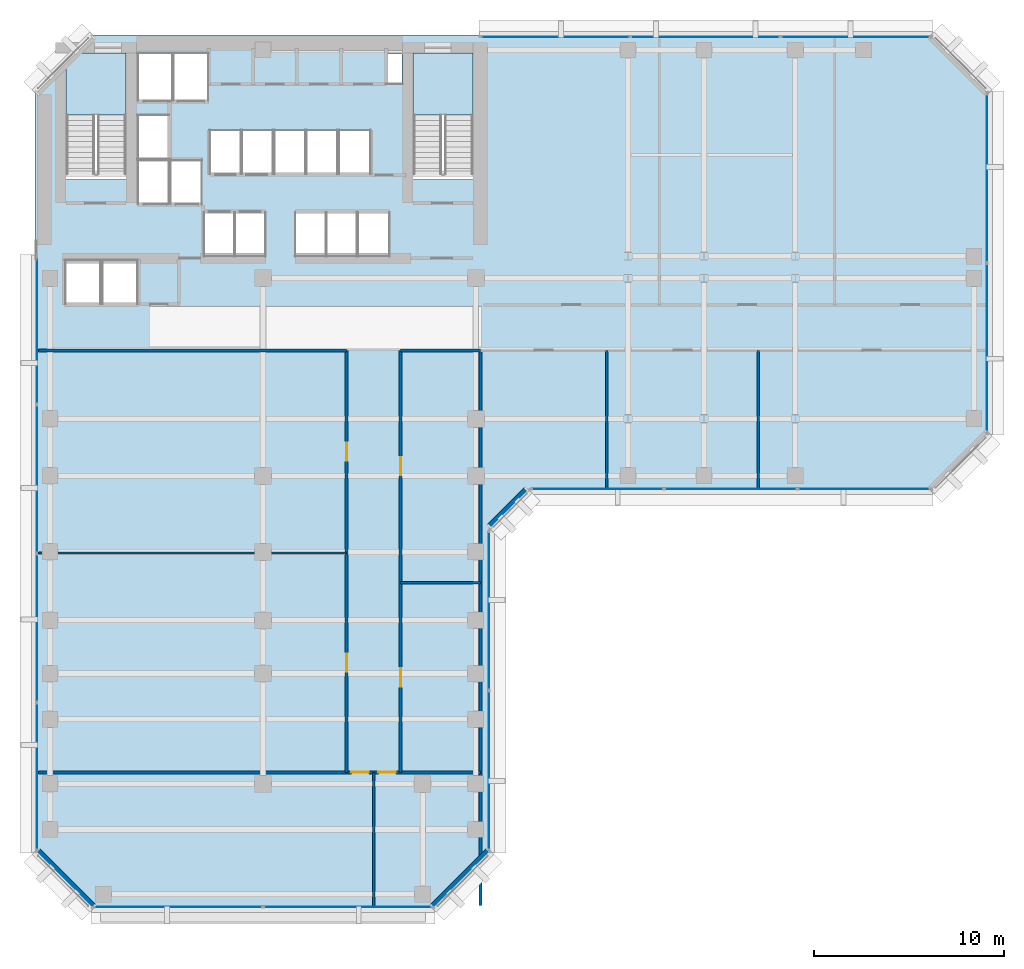
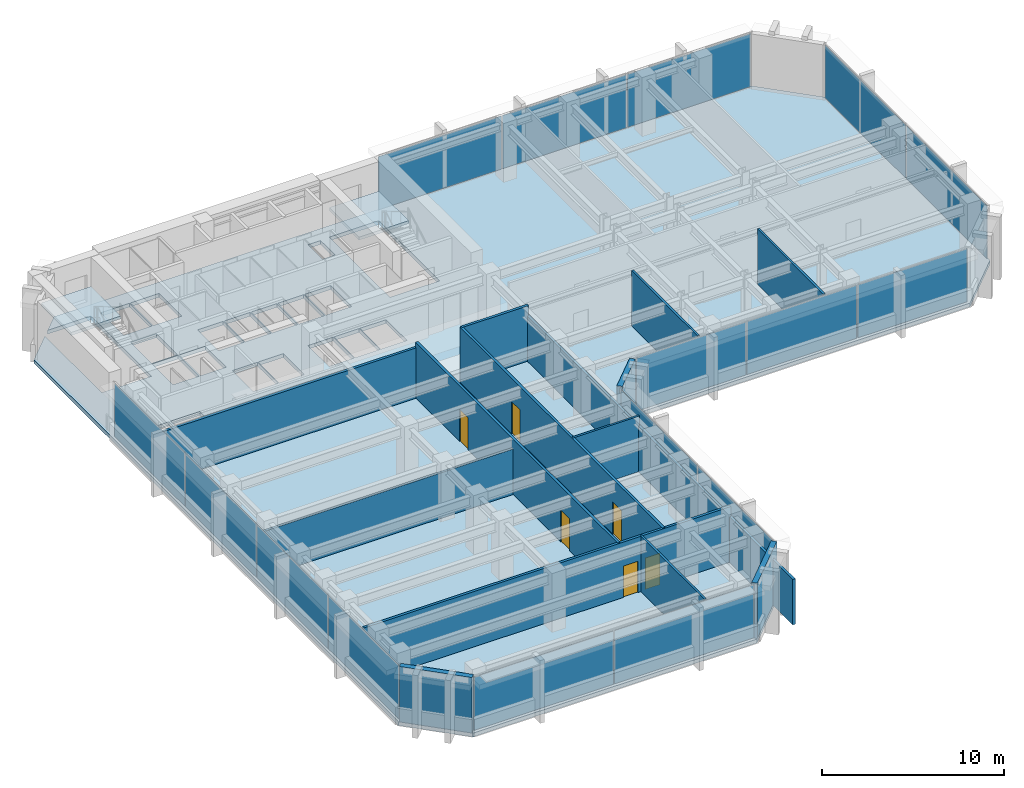
# One storey, part 6 of 12: 16 plates, 14 walls, 6 doors, 3 slabs, 6 openings, 8 elements without a shape of their own.
"""IFC4 building model written with IfcOpenShell, lengths in metres."""

from ifc_helpers import new_model, si_unit, direction, frame, frame_2d, origin, origin_2d, place, context, subcontext, project, spatial, polyline, rectangle, outline, extrude, material, layer, layer_set, type_object, element, fill, aggregate, save


model = new_model("IFC4")

# Units and contexts
model_context = context("Model", 3, precision=1e-05, world=origin(), true_north=direction((0.0, 1.0)))
body_context = subcontext(model_context, "Body", "Model", "MODEL_VIEW")
ifc_project = project(units=[si_unit("LENGTHUNIT", "METRE"), si_unit("AREAUNIT", "SQUARE_METRE"), si_unit("VOLUMEUNIT", "CUBIC_METRE"), si_unit("PLANEANGLEUNIT", "RADIAN"), si_unit("MASSUNIT", "GRAM", prefix="KILO")], contexts=[model_context])

# Site, building, storey
site_placement = place(None, origin())
site = spatial("IfcSite", under=ifc_project, at=site_placement, CompositionType="ELEMENT")
building_placement = place(site_placement, origin())
building = spatial("IfcBuilding", under=site, at=building_placement, Name="Kefirva Bronze Tower", CompositionType="ELEMENT")
storey_placement = place(building_placement, frame((0.0, 0.0, 126.389892578125)))
storey = spatial("IfcBuildingStorey", under=building, at=storey_placement, Name="L30", CompositionType="ELEMENT", Elevation=126.389892578125)

# Stair, slab
ifc_material_1 = material(Name="Concrete C40/50", Category="concrete")
stair_type = type_object("IfcStairType", Name="RC Dogleg Protected Stair 24R", PredefinedType="HALF_TURN_STAIR", material=ifc_material_1)
stair_1_placement = place(storey_placement, origin())
stair_1 = element("IfcStair", 1, at=stair_1_placement, inside=storey, type_object=stair_type, Name="L30 Protected Exit Stair 1", PredefinedType="HALF_TURN_STAIR")
ifc_layer_1 = layer(ifc_material_1, 0.199951171875, Name="Concrete C40/50")
ifc_layer_set_1 = layer_set([ifc_layer_1], Name="Concrete C40/50")
slab_type_1 = type_object("IfcSlabType", Name="RC Stair Landing Slab 200mm", PredefinedType="LANDING", material=ifc_layer_set_1)
slab_1_placement = place(storey_placement, frame((0.0, 0.0, 1.780029296875)))
slab_1 = element("IfcSlab", 2, at=slab_1_placement, type_object=slab_type_1, Name="ST-1 landing 1", PredefinedType="LANDING", context=body_context, shape_type="SweptSolid", body=[
    extrude(outline(polyline([(4.800048828125, 41.780029296875), (4.800048828125, 45.050048828125), (1.64990234375, 45.050048828125), (1.64990234375, 41.780029296875), (4.800048828125, 41.780029296875)])), origin(), (0.0, 0.0, 1.0), 0.2001953125),
])
aggregate(stair_1, [slab_1])

stair_2_placement = place(storey_placement, origin())
stair_2 = element("IfcStair", 3, at=stair_2_placement, inside=storey, type_object=stair_type, Name="L30 Protected Exit Stair 2", PredefinedType="HALF_TURN_STAIR")
slab_2_placement = place(storey_placement, frame((0.0, 0.0, 1.780029296875)))
slab_2 = element("IfcSlab", 4, at=slab_2_placement, type_object=slab_type_1, Name="ST-2 landing 1", PredefinedType="LANDING", context=body_context, shape_type="SweptSolid", body=[
    extrude(outline(polyline([(23.050048828125, 41.780029296875), (23.050048828125, 45.050048828125), (19.89990234375, 45.050048828125), (19.89990234375, 41.780029296875), (23.050048828125, 41.780029296875)])), origin(), (0.0, 0.0, 1.0), 0.2001953125),
])
aggregate(stair_2, [slab_2])

# Slab
ifc_layer_2 = layer(ifc_material_1, 0.25, Name="Concrete C40/50")
ifc_layer_set_2 = layer_set([ifc_layer_2], Name="Concrete C40/50")
slab_type_2 = type_object("IfcSlabType", Name="RC Tower Floor Slab 250mm", PredefinedType="FLOOR", material=ifc_layer_set_2)
slab_3_placement = place(storey_placement, frame((0.0, 0.0, -0.25)))
element("IfcSlab", 5, at=slab_3_placement, inside=storey, type_object=slab_type_2, Name="L30 Structural Floor Slab", PredefinedType="FLOOR", context=body_context, shape_type="SweptSolid", body=[
    extrude(outline(polyline([(0.0, 3.0), (0.0, 43.0), (1.64990234375, 44.64990234375), (1.64990234375, 38.39990234375), (4.800048828125, 38.39990234375), (4.800048828125, 45.050048828125), (2.050048828125, 45.050048828125), (3.0, 46.0), (47.199951171875, 46.0), (50.199951171875, 43.0), (50.199951171875, 25.0), (47.199951171875, 22.0), (26.0, 22.0), (24.0, 20.0), (24.0, 3.0), (21.0, 0.0), (3.0, 0.0), (0.0, 3.0)]), holes=[polyline([(19.89990234375, 38.39990234375), (23.050048828125, 38.39990234375), (23.050048828125, 45.050048828125), (19.89990234375, 45.050048828125), (19.89990234375, 38.39990234375)]), polyline([(18.52001953125, 43.419921875), (19.320068359375, 43.419921875), (19.320068359375, 45.0), (18.52001953125, 45.0), (18.52001953125, 43.419921875)]), polyline([(17.0, 34.35009765625), (18.64990234375, 34.35009765625), (18.64990234375, 36.64990234375), (17.0, 36.64990234375), (17.0, 34.35009765625)]), polyline([(17.64990234375, 38.679931640625), (17.64990234375, 40.97998046875), (16.0, 40.97998046875), (16.0, 38.679931640625), (17.64990234375, 38.679931640625)]), polyline([(16.949951171875, 34.35009765625), (16.949951171875, 36.64990234375), (15.35009765625, 36.64990234375), (15.35009765625, 34.35009765625), (16.949951171875, 34.35009765625)]), polyline([(15.929931640625, 38.679931640625), (15.929931640625, 40.97998046875), (14.300048828125, 40.97998046875), (14.300048828125, 38.679931640625), (15.929931640625, 38.679931640625)]), polyline([(15.300048828125, 34.35009765625), (15.300048828125, 36.64990234375), (13.699951171875, 36.64990234375), (13.699951171875, 34.35009765625), (15.300048828125, 34.35009765625)]), polyline([(14.22998046875, 38.679931640625), (14.22998046875, 40.97998046875), (12.60009765625, 40.97998046875), (12.60009765625, 38.679931640625), (14.22998046875, 38.679931640625)]), polyline([(10.89990234375, 38.679931640625), (12.530029296875, 38.679931640625), (12.530029296875, 40.97998046875), (10.89990234375, 40.97998046875), (10.89990234375, 38.679931640625)]), polyline([(12.139892578125, 34.35009765625), (12.139892578125, 36.64990234375), (10.5400390625, 36.64990234375), (10.5400390625, 34.35009765625), (12.139892578125, 34.35009765625)]), polyline([(10.830078125, 38.679931640625), (10.830078125, 40.97998046875), (9.199951171875, 40.97998046875), (9.199951171875, 38.679931640625), (10.830078125, 38.679931640625)]), polyline([(10.5, 34.35009765625), (10.5, 36.64990234375), (8.89990234375, 36.64990234375), (8.89990234375, 34.35009765625), (10.5, 34.35009765625)]), polyline([(7.300048828125, 42.550048828125), (9.1201171875, 42.550048828125), (9.1201171875, 45.050048828125), (7.300048828125, 45.050048828125), (7.300048828125, 42.550048828125)]), polyline([(7.139892578125, 37.10009765625), (8.780029296875, 37.10009765625), (8.780029296875, 39.39990234375), (7.139892578125, 39.39990234375), (7.139892578125, 37.10009765625)]), polyline([(5.419921875, 42.550048828125), (7.239990234375, 42.550048828125), (7.239990234375, 45.050048828125), (5.419921875, 45.050048828125), (5.419921875, 42.550048828125)]), polyline([(7.06005859375, 39.47998046875), (7.06005859375, 41.780029296875), (5.419921875, 41.780029296875), (5.419921875, 39.47998046875), (7.06005859375, 39.47998046875)]), polyline([(5.419921875, 37.10009765625), (7.06005859375, 37.10009765625), (7.06005859375, 39.39990234375), (5.419921875, 39.39990234375), (5.419921875, 37.10009765625)]), polyline([(5.39990234375, 31.85009765625), (5.39990234375, 34.14990234375), (3.550048828125, 34.14990234375), (3.550048828125, 31.85009765625), (5.39990234375, 31.85009765625)]), polyline([(3.449951171875, 31.85009765625), (3.449951171875, 34.14990234375), (1.60009765625, 34.14990234375), (1.60009765625, 31.85009765625), (3.449951171875, 31.85009765625)])]), origin(), (0.0, 0.0, 1.0), 0.25),
])

# Curtain wall, plates
ifc_material_2 = material(Name="Bronze anodised aluminium", Category="aluminium")
ifc_layer_3 = layer(ifc_material_2, 0.199951171875, Name="Bronze anodised aluminium")
ifc_layer_set_3 = layer_set([ifc_layer_3], Name="Bronze anodised aluminium")
curtain_wall_type = type_object("IfcCurtainWallType", Name="Unitised Bronze Ribbon Curtain Wall Zone 2", PredefinedType="USERDEFINED", material=ifc_layer_set_3)
curtain_wall_1_placement = place(storey_placement, origin())
curtain_wall_1 = element("IfcCurtainWall", 6, at=curtain_wall_1_placement, inside=storey, type_object=curtain_wall_type, Name="L30 Curtain Wall 1", ObjectType="UNITISED CURTAIN WALL", PredefinedType="USERDEFINED")
ifc_material_3 = material(Name="Laminated low-E double glazing", Category="glass")
ifc_layer_4 = layer(ifc_material_3, 0.031982421875, Name="Laminated low-E double glazing")
ifc_layer_set_4 = layer_set([ifc_layer_4], Name="Laminated low-E double glazing")
plate_type = type_object("IfcPlateType", Name="Solar-Control Low-E Vision Panel 32mm", PredefinedType="CURTAIN_PANEL", material=ifc_layer_set_4)
plate_1_placement = place(storey_placement, frame((7.546142578125, 0.1201171875, 0.0751953125), z_axis=(0.0, 0.0, 1.0), x_axis=(1.0, 0.0, 0.0)))
plate_1 = element("IfcPlate", 7, at=plate_1_placement, type_object=plate_type, Name="CW-02 panel 1.1", PredefinedType="CURTAIN_PANEL", context=body_context, shape_type="SweptSolid", body=[
    extrude(rectangle(XDim=8.83251953125, YDim=0.031982421875, at=origin_2d()), origin(), (0.0, 0.0, 1.0), 3.56005859375),
])
plate_2_placement = place(storey_placement, frame((16.453857421875, 0.1201171875, 0.0751953125), z_axis=(0.0, 0.0, 1.0), x_axis=(1.0, 0.0, 0.0)))
plate_2 = element("IfcPlate", 8, at=plate_2_placement, type_object=plate_type, Name="CW-02 panel 2.1", PredefinedType="CURTAIN_PANEL", context=body_context, shape_type="SweptSolid", body=[
    extrude(rectangle(XDim=8.83251953125, YDim=0.031982421875, at=origin_2d()), origin(), (0.0, 0.0, 1.0), 3.56005859375),
])
aggregate(curtain_wall_1, [plate_1, plate_2])

curtain_wall_2_placement = place(storey_placement, origin())
curtain_wall_2 = element("IfcCurtainWall", 9, at=curtain_wall_2_placement, inside=storey, type_object=curtain_wall_type, Name="L30 Curtain Wall 2", ObjectType="UNITISED CURTAIN WALL", PredefinedType="USERDEFINED")
plate_3_placement = place(storey_placement, frame((23.8798828125, 7.296142578125, 0.0751953125), z_axis=(0.0, 0.0, 1.0), x_axis=(0.0, 1.0, 0.0)))
plate_3 = element("IfcPlate", 10, at=plate_3_placement, type_object=plate_type, Name="CW-02 panel 1.1", PredefinedType="CURTAIN_PANEL", context=body_context, shape_type="SweptSolid", body=[
    extrude(rectangle(XDim=8.33251953125, YDim=0.031982421875, at=origin_2d()), origin(), (0.0, 0.0, 1.0), 3.56005859375),
])
plate_4_placement = place(storey_placement, frame((23.8798828125, 15.703857421875, 0.0751953125), z_axis=(0.0, 0.0, 1.0), x_axis=(0.0, 1.0, 0.0)))
plate_4 = element("IfcPlate", 11, at=plate_4_placement, type_object=plate_type, Name="CW-02 panel 2.1", PredefinedType="CURTAIN_PANEL", context=body_context, shape_type="SweptSolid", body=[
    extrude(rectangle(XDim=8.33251953125, YDim=0.031982421875, at=origin_2d()), origin(), (0.0, 0.0, 1.0), 3.56005859375),
])
aggregate(curtain_wall_2, [plate_3, plate_4])

curtain_wall_3_placement = place(storey_placement, origin())
curtain_wall_3 = element("IfcCurtainWall", 12, at=curtain_wall_3_placement, inside=storey, type_object=curtain_wall_type, Name="L30 Curtain Wall 3", ObjectType="UNITISED CURTAIN WALL", PredefinedType="USERDEFINED")
plate_5_placement = place(storey_placement, frame((29.5888671875, 22.1201171875, 0.0751953125), z_axis=(0.0, 0.0, 1.0), x_axis=(1.0, 0.0, 0.0)))
plate_5 = element("IfcPlate", 13, at=plate_5_placement, type_object=plate_type, Name="CW-02 panel 1.1", PredefinedType="CURTAIN_PANEL", context=body_context, shape_type="SweptSolid", body=[
    extrude(rectangle(XDim=6.91748046875, YDim=0.031982421875, at=origin_2d()), origin(), (0.0, 0.0, 1.0), 3.56005859375),
])
plate_6_placement = place(storey_placement, frame((36.60009765625, 22.1201171875, 0.0751953125), z_axis=(0.0, 0.0, 1.0), x_axis=(1.0, 0.0, 0.0)))
plate_6 = element("IfcPlate", 14, at=plate_6_placement, type_object=plate_type, Name="CW-02 panel 2.1", PredefinedType="CURTAIN_PANEL", context=body_context, shape_type="SweptSolid", body=[
    extrude(rectangle(XDim=6.955078125, YDim=0.031982421875, at=origin_2d()), origin(), (0.0, 0.0, 1.0), 3.56005859375),
])
plate_7_placement = place(storey_placement, frame((43.611328125, 22.1201171875, 0.0751953125), z_axis=(0.0, 0.0, 1.0), x_axis=(1.0, 0.0, 0.0)))
plate_7 = element("IfcPlate", 15, at=plate_7_placement, type_object=plate_type, Name="CW-02 panel 3.1", PredefinedType="CURTAIN_PANEL", context=body_context, shape_type="SweptSolid", body=[
    extrude(rectangle(XDim=6.91748046875, YDim=0.031982421875, at=origin_2d()), origin(), (0.0, 0.0, 1.0), 3.56005859375),
])
aggregate(curtain_wall_3, [plate_5, plate_6, plate_7])

curtain_wall_4_placement = place(storey_placement, origin())
curtain_wall_4 = element("IfcCurtainWall", 16, at=curtain_wall_4_placement, inside=storey, type_object=curtain_wall_type, Name="L30 Curtain Wall 4", ObjectType="UNITISED CURTAIN WALL", PredefinedType="USERDEFINED")
plate_8_placement = place(storey_placement, frame((50.080078125, 29.546142578125, 0.0751953125), z_axis=(0.0, 0.0, 1.0), x_axis=(0.0, 1.0, 0.0)))
plate_8 = element("IfcPlate", 17, at=plate_8_placement, type_object=plate_type, Name="CW-02 panel 1.1", PredefinedType="CURTAIN_PANEL", context=body_context, shape_type="SweptSolid", body=[
    extrude(rectangle(XDim=8.83251953125, YDim=0.031982421875, at=origin_2d()), origin(), (0.0, 0.0, 1.0), 3.56005859375),
])
plate_9_placement = place(storey_placement, frame((50.080078125, 38.453857421875, 0.0751953125), z_axis=(0.0, 0.0, 1.0), x_axis=(0.0, 1.0, 0.0)))
plate_9 = element("IfcPlate", 18, at=plate_9_placement, type_object=plate_type, Name="CW-02 panel 2.1", PredefinedType="CURTAIN_PANEL", context=body_context, shape_type="SweptSolid", body=[
    extrude(rectangle(XDim=8.83251953125, YDim=0.031982421875, at=origin_2d()), origin(), (0.0, 0.0, 1.0), 3.56005859375),
])
aggregate(curtain_wall_4, [plate_8, plate_9])

curtain_wall_5_placement = place(storey_placement, origin())
curtain_wall_5 = element("IfcCurtainWall", 19, at=curtain_wall_5_placement, inside=storey, type_object=curtain_wall_type, Name="L30 Curtain Wall 5", ObjectType="UNITISED CURTAIN WALL", PredefinedType="USERDEFINED")
plate_10_placement = place(storey_placement, frame((43.169677734375, 45.8798828125, 0.0751953125), z_axis=(0.0, 0.0, 1.0), x_axis=(-1.0, 0.0, 0.0)))
plate_10 = element("IfcPlate", 20, at=plate_10_placement, type_object=plate_type, Name="CW-02 panel 1.1", PredefinedType="CURTAIN_PANEL", context=body_context, shape_type="SweptSolid", body=[
    extrude(rectangle(XDim=7.80078125, YDim=0.031982421875, at=origin_2d()), origin(), (0.0, 0.0, 1.0), 3.56005859375),
])
plate_11_placement = place(storey_placement, frame((35.27490234375, 45.8798828125, 0.0751953125), z_axis=(0.0, 0.0, 1.0), x_axis=(-1.0, 0.0, 0.0)))
plate_11 = element("IfcPlate", 21, at=plate_11_placement, type_object=plate_type, Name="CW-02 panel 2.1", PredefinedType="CURTAIN_PANEL", context=body_context, shape_type="SweptSolid", body=[
    extrude(rectangle(XDim=7.83837890625, YDim=0.031982421875, at=origin_2d()), origin(), (0.0, 0.0, 1.0), 3.56005859375),
])
plate_12_placement = place(storey_placement, frame((27.38037109375, 45.8798828125, 0.0751953125), z_axis=(0.0, 0.0, 1.0), x_axis=(-1.0, 0.0, 0.0)))
plate_12 = element("IfcPlate", 22, at=plate_12_placement, type_object=plate_type, Name="CW-02 panel 3.1", PredefinedType="CURTAIN_PANEL", context=body_context, shape_type="SweptSolid", body=[
    extrude(rectangle(XDim=7.80078125, YDim=0.031982421875, at=origin_2d()), origin(), (0.0, 0.0, 1.0), 3.56005859375),
])
aggregate(curtain_wall_5, [plate_10, plate_11, plate_12])

curtain_wall_6_placement = place(storey_placement, origin())
curtain_wall_6 = element("IfcCurtainWall", 23, at=curtain_wall_6_placement, inside=storey, type_object=curtain_wall_type, Name="L30 Curtain Wall 6", ObjectType="UNITISED CURTAIN WALL", PredefinedType="USERDEFINED")
plate_13_placement = place(storey_placement, frame((0.1201171875, 30.458740234375, 0.0751953125), z_axis=(0.0, 0.0, 1.0), x_axis=(0.0, -1.0, 0.0)))
plate_13 = element("IfcPlate", 24, at=plate_13_placement, type_object=plate_type, Name="CW-02 panel 1.1", PredefinedType="CURTAIN_PANEL", context=body_context, shape_type="SweptSolid", body=[
    extrude(rectangle(XDim=7.722412109375, YDim=0.031982421875, at=origin_2d()), origin(), (0.0, 0.0, 1.0), 3.56005859375),
])
plate_14_placement = place(storey_placement, frame((0.1201171875, 22.642578125, 0.0751953125), z_axis=(0.0, 0.0, 1.0), x_axis=(0.0, -1.0, 0.0)))
plate_14 = element("IfcPlate", 25, at=plate_14_placement, type_object=plate_type, Name="CW-02 panel 2.1", PredefinedType="CURTAIN_PANEL", context=body_context, shape_type="SweptSolid", body=[
    extrude(rectangle(XDim=7.760009765625, YDim=0.031982421875, at=origin_2d()), origin(), (0.0, 0.0, 1.0), 3.56005859375),
])
plate_15_placement = place(storey_placement, frame((0.1201171875, 14.8076171875, 0.0751953125), z_axis=(0.0, 0.0, 1.0), x_axis=(0.0, -1.0, 0.0)))
plate_15 = element("IfcPlate", 26, at=plate_15_placement, type_object=plate_type, Name="CW-02 panel 3.1", PredefinedType="CURTAIN_PANEL", context=body_context, shape_type="SweptSolid", body=[
    extrude(rectangle(XDim=7.760009765625, YDim=0.031982421875, at=origin_2d()), origin(), (0.0, 0.0, 1.0), 3.56005859375),
])
plate_16_placement = place(storey_placement, frame((0.1201171875, 6.9912109375, 0.0751953125), z_axis=(0.0, 0.0, 1.0), x_axis=(0.0, -1.0, 0.0)))
plate_16 = element("IfcPlate", 27, at=plate_16_placement, type_object=plate_type, Name="CW-02 panel 4.1", PredefinedType="CURTAIN_PANEL", context=body_context, shape_type="SweptSolid", body=[
    extrude(rectangle(XDim=7.722412109375, YDim=0.031982421875, at=origin_2d()), origin(), (0.0, 0.0, 1.0), 3.56005859375),
])
aggregate(curtain_wall_6, [plate_13, plate_14, plate_15, plate_16])

# Walls
ifc_material_4 = material(Name="Gypsum acoustic partition")
ifc_layer_5 = layer(ifc_material_4, 0.1298828125, Name="Gypsum acoustic partition")
ifc_layer_set_5 = layer_set([ifc_layer_5], Name="Gypsum acoustic partition")
wall_type_1 = type_object("IfcWallType", Name="Acoustic Office Partition 130mm", PredefinedType="PARTITIONING", material=ifc_layer_set_5)
wall_1_placement = place(storey_placement, frame((17.820068359375, 0.18994140625, 0.0), z_axis=(0.0, 0.0, 1.0), x_axis=(0.0, 1.0, 0.0)))
element("IfcWall", 28, at=wall_1_placement, inside=storey, type_object=wall_type_1, Name="L30 Partition W-L30-CAPDV", PredefinedType="PARTITIONING", context=body_context, shape_type="SweptSolid", body=[
    extrude(rectangle(XDim=7.010009765625, YDim=0.1298828125, at=frame_2d((3.5048828125, 0.0))), origin(), (0.0, 0.0, 1.0), 3.710205078125),
])
wall_2_placement = place(storey_placement, frame((0.18994140625, 18.743896484375, 0.0), z_axis=(0.0, 0.0, 1.0), x_axis=(1.0, 0.0, 0.0)))
element("IfcWall", 29, at=wall_2_placement, inside=storey, type_object=wall_type_1, Name="L30 Partition W-L30-SWD1", PredefinedType="PARTITIONING", context=body_context, shape_type="SweptSolid", body=[
    extrude(rectangle(XDim=16.2099609375, YDim=0.1298828125, at=frame_2d((8.10498046875, 0.0))), origin(), (0.0, 0.0, 1.0), 3.045166015625),
])
wall_3_placement = place(storey_placement, frame((19.239990234375, 17.18994140625, 0.0), z_axis=(0.0, 0.0, 1.0), x_axis=(1.0, 0.0, 0.0)))
element("IfcWall", 30, at=wall_3_placement, inside=storey, type_object=wall_type_1, Name="L30 Partition W-L30-SED1", PredefinedType="PARTITIONING", context=body_context, shape_type="SweptSolid", body=[
    extrude(rectangle(XDim=4.2099609375, YDim=0.1298828125, at=frame_2d((2.10498046875, 0.0))), origin(), (0.0, 0.0, 1.0), 3.710205078125),
])
for number, where, z_axis, x_axis, name in (
    (31, (30.090087890625, 22.18994140625, 0.0), (0.0, 0.0, 1.0), (0.0, 1.0, 0.0), "L30 Partition W-L30-ESD1"),
    (32, (38.05810546875, 22.18994140625, 0.0), (0.0, 0.0, 1.0), (0.0, 1.0, 0.0), "L30 Partition W-L30-ESD2"),
):
    element("IfcWall", number, at=place(storey_placement, frame(where, z_axis=z_axis, x_axis=x_axis)), inside=storey, type_object=wall_type_1, Name=name, PredefinedType="PARTITIONING", context=body_context, shape_type="SweptSolid", body=[
        extrude(rectangle(XDim=7.2099609375, YDim=0.1298828125, at=frame_2d((3.60498046875, 0.0))), origin(), (0.0, 0.0, 1.0), 3.710205078125),
    ])
ifc_material_5 = material(Name="Precast concrete C40/50", Category="concrete")
ifc_layer_6 = layer(ifc_material_5, 0.320068359375, Name="Precast concrete C40/50")
ifc_layer_set_6 = layer_set([ifc_layer_6], Name="Precast concrete C40/50")
wall_type_2 = type_object("IfcWallType", Name="Precast Insulated Exterior Wall 320mm", PredefinedType="SOLIDWALL", material=ifc_layer_set_6)
wall_4_placement = place(storey_placement, frame((20.92578125, 0.152099609375, 0.0), z_axis=(0.0, 0.0, 1.0), x_axis=(0.707106781187, 0.707106781187, 0.0)))
element("IfcWall", 33, at=wall_4_placement, inside=storey, type_object=wall_type_2, Name="L30 Exterior Facade Wall 1", PredefinedType="SOLIDWALL", context=body_context, shape_type="SweptSolid", body=[
    extrude(rectangle(XDim=4.132568359375, YDim=0.320068359375, at=frame_2d((2.06640625, 0.0))), origin(), (0.0, 0.0, 1.0), 3.710205078125),
])
wall_5_placement = place(storey_placement, frame((23.92578125, 20.152099609375, 0.0), z_axis=(0.0, 0.0, 1.0), x_axis=(0.707106781187, 0.707106781187, 0.0)))
element("IfcWall", 34, at=wall_5_placement, inside=storey, type_object=wall_type_2, Name="L30 Exterior Facade Wall 2", PredefinedType="SOLIDWALL", context=body_context, shape_type="SweptSolid", body=[
    extrude(rectangle(XDim=2.71826171875, YDim=0.320068359375, at=frame_2d((1.359130859375, 0.0))), origin(), (0.0, 0.0, 1.0), 3.710205078125),
])
wall_6_placement = place(storey_placement, frame((0.152099609375, 3.07421875, 0.0), z_axis=(0.0, 0.0, 1.0), x_axis=(0.707106781187, -0.707106781187, 0.0)))
element("IfcWall", 35, at=wall_6_placement, inside=storey, type_object=wall_type_2, Name="L30 Exterior Facade Wall 6", PredefinedType="SOLIDWALL", context=body_context, shape_type="SweptSolid", body=[
    extrude(rectangle(XDim=4.132568359375, YDim=0.320068359375, at=frame_2d((2.06640625, 0.0))), origin(), (0.0, 0.0, 1.0), 3.710205078125),
])

# Wall, openings, doors
ifc_layer_7 = layer(ifc_material_4, 0.159912109375, Name="Gypsum acoustic partition")
ifc_layer_set_7 = layer_set([ifc_layer_7], Name="Gypsum acoustic partition")
wall_type_3 = type_object("IfcWallType", Name="Protected Corridor Partition 160mm", PredefinedType="PARTITIONING", material=ifc_layer_set_7)
wall_7_placement = place(storey_placement, frame((16.39990234375, 7.199951171875, 0.0), z_axis=(0.0, 0.0, 1.0), x_axis=(0.0, 1.0, 0.0)))
wall_7 = element("IfcWall", 36, at=wall_7_placement, inside=storey, type_object=wall_type_3, Name="L30 Partition W-L30-SWCORW", PredefinedType="PARTITIONING", context=body_context, shape_type="SweptSolid", body=[
    extrude(rectangle(XDim=22.199951171875, YDim=0.159912109375, at=frame_2d((11.10009765625, 0.0))), origin(), (0.0, 0.0, 1.0), 3.710205078125),
])
opening_1_placement = place(wall_7_placement, frame((6.2470703125, 0.0, 0.0), z_axis=(0.0, 0.0, 1.0), x_axis=(-1.0, 0.0, 0.0)))
opening_1 = element("IfcOpeningElement", 37, at=opening_1_placement, cuts=wall_7, Name="Opening L30-D-SW1", PredefinedType="OPENING", context=body_context, shape_type="SweptSolid", body=[
    extrude(rectangle(XDim=0.949951171875, YDim=2.14990234375, at=frame_2d((0.47509765625, 1.074951171875))), frame((0.0, 0.08984375, 0.0), z_axis=(0.0, -1.0, 0.0), x_axis=(1.0, 0.0, 0.0)), (0.0, 0.0, 1.0), 0.179931640625),
])
opening_2_placement = place(wall_7_placement, frame((17.346923828125, 0.0, 0.0), z_axis=(0.0, 0.0, 1.0), x_axis=(-1.0, 0.0, 0.0)))
opening_2 = element("IfcOpeningElement", 38, at=opening_2_placement, cuts=wall_7, Name="Opening L30-D-SW2", PredefinedType="OPENING", context=body_context, shape_type="SweptSolid", body=[
    extrude(rectangle(XDim=0.949951171875, YDim=2.14990234375, at=frame_2d((0.47509765625, 1.074951171875))), frame((0.0, 0.08984375, 0.0), z_axis=(0.0, -1.0, 0.0), x_axis=(1.0, 0.0, 0.0)), (0.0, 0.0, 1.0), 0.179931640625),
])
ifc_material_6 = material(Name="Acoustic hardwood oak", Category="wood")
door_type_1 = type_object("IfcDoorType", Name="Office & Meeting Room Door 950x2150", OperationType="NOTDEFINED", PredefinedType="DOOR", material=ifc_material_6)
door_1_placement = place(opening_1_placement, origin())
door_1 = element("IfcDoor", 39, at=door_1_placement, inside=storey, type_object=door_type_1, Name="Door L30-D-SW1", OperationType="SINGLE_SWING_RIGHT", OverallHeight=2.14990234375, OverallWidth=0.949951171875, PredefinedType="DOOR", context=body_context, shape_type="SweptSolid", body=[
    extrude(rectangle(XDim=0.949951171875, YDim=2.14990234375, at=frame_2d((0.47509765625, 1.074951171875))), frame((0.0, 0.02490234375, 0.0), z_axis=(0.0, -1.0, 0.0), x_axis=(1.0, 0.0, 0.0)), (0.0, 0.0, 1.0), 0.050048828125),
])
fill(opening_1, door_1)
door_2_placement = place(opening_2_placement, origin())
door_2 = element("IfcDoor", 40, at=door_2_placement, inside=storey, type_object=door_type_1, Name="Door L30-D-SW2", OperationType="SINGLE_SWING_LEFT", OverallHeight=2.14990234375, OverallWidth=0.949951171875, PredefinedType="DOOR", context=body_context, shape_type="SweptSolid", body=[
    extrude(rectangle(XDim=0.949951171875, YDim=2.14990234375, at=frame_2d((0.47509765625, 1.074951171875))), frame((0.0, 0.02490234375, 0.0), z_axis=(0.0, -1.0, 0.0), x_axis=(1.0, 0.0, 0.0)), (0.0, 0.0, 1.0), 0.050048828125),
])
fill(opening_2, door_2)

wall_8_placement = place(storey_placement, frame((19.239990234375, 7.199951171875, 0.0), z_axis=(0.0, 0.0, 1.0), x_axis=(0.0, 1.0, 0.0)))
wall_8 = element("IfcWall", 41, at=wall_8_placement, inside=storey, type_object=wall_type_3, Name="L30 Partition W-L30-SECORE", PredefinedType="PARTITIONING", context=body_context, shape_type="SweptSolid", body=[
    extrude(rectangle(XDim=22.199951171875, YDim=0.159912109375, at=frame_2d((11.10009765625, 0.0))), origin(), (0.0, 0.0, 1.0), 3.710205078125),
])
opening_3_placement = place(wall_8_placement, frame((4.52001953125, 0.0, 0.0)))
opening_3 = element("IfcOpeningElement", 42, at=opening_3_placement, cuts=wall_8, Name="Opening L30-D-SE1", PredefinedType="OPENING", context=body_context, shape_type="SweptSolid", body=[
    extrude(rectangle(XDim=0.949951171875, YDim=2.14990234375, at=frame_2d((0.47509765625, 1.074951171875))), frame((0.0, 0.08984375, 0.0), z_axis=(0.0, -1.0, 0.0), x_axis=(1.0, 0.0, 0.0)), (0.0, 0.0, 1.0), 0.179931640625),
])
opening_4_placement = place(wall_8_placement, frame((15.6201171875, 0.0, 0.0)))
opening_4 = element("IfcOpeningElement", 43, at=opening_4_placement, cuts=wall_8, Name="Opening L30-D-SE2", PredefinedType="OPENING", context=body_context, shape_type="SweptSolid", body=[
    extrude(rectangle(XDim=0.949951171875, YDim=2.14990234375, at=frame_2d((0.47509765625, 1.074951171875))), frame((0.0, 0.08984375, 0.0), z_axis=(0.0, -1.0, 0.0), x_axis=(1.0, 0.0, 0.0)), (0.0, 0.0, 1.0), 0.179931640625),
])
door_3_placement = place(opening_3_placement, origin())
door_3 = element("IfcDoor", 44, at=door_3_placement, inside=storey, type_object=door_type_1, Name="Door L30-D-SE1", OperationType="SINGLE_SWING_RIGHT", OverallHeight=2.14990234375, OverallWidth=0.949951171875, PredefinedType="DOOR", context=body_context, shape_type="SweptSolid", body=[
    extrude(rectangle(XDim=0.949951171875, YDim=2.14990234375, at=frame_2d((0.47509765625, 1.074951171875))), frame((0.0, 0.02490234375, 0.0), z_axis=(0.0, -1.0, 0.0), x_axis=(1.0, 0.0, 0.0)), (0.0, 0.0, 1.0), 0.050048828125),
])
fill(opening_3, door_3)
door_4_placement = place(opening_4_placement, origin())
door_4 = element("IfcDoor", 45, at=door_4_placement, inside=storey, type_object=door_type_1, Name="Door L30-D-SE2", OperationType="SINGLE_SWING_LEFT", OverallHeight=2.14990234375, OverallWidth=0.949951171875, PredefinedType="DOOR", context=body_context, shape_type="SweptSolid", body=[
    extrude(rectangle(XDim=0.949951171875, YDim=2.14990234375, at=frame_2d((0.47509765625, 1.074951171875))), frame((0.0, 0.02490234375, 0.0), z_axis=(0.0, -1.0, 0.0), x_axis=(1.0, 0.0, 0.0)), (0.0, 0.0, 1.0), 0.050048828125),
])
fill(opening_4, door_4)

wall_9_placement = place(storey_placement, frame((0.18994140625, 7.199951171875, 0.0), z_axis=(0.0, 0.0, 1.0), x_axis=(1.0, 0.0, 0.0)))
wall_9 = element("IfcWall", 46, at=wall_9_placement, inside=storey, type_object=wall_type_3, Name="L30 Partition W-L30-SBEND", PredefinedType="PARTITIONING", context=body_context, shape_type="SweptSolid", body=[
    extrude(rectangle(XDim=23.260009765625, YDim=0.159912109375, at=frame_2d((11.6298828125, 0.0))), origin(), (0.0, 0.0, 1.0), 3.710205078125),
])
opening_5_placement = place(wall_9_placement, frame((16.4599609375, 0.0, 0.0)))
opening_5 = element("IfcOpeningElement", 47, at=opening_5_placement, cuts=wall_9, Name="Opening L30-D-SEND1", PredefinedType="OPENING", context=body_context, shape_type="SweptSolid", body=[
    extrude(rectangle(XDim=0.919921875, YDim=2.10009765625, at=frame_2d((0.4599609375, 1.050048828125))), frame((0.0, 0.08984375, 0.0), z_axis=(0.0, -1.0, 0.0), x_axis=(1.0, 0.0, 0.0)), (0.0, 0.0, 1.0), 0.179931640625),
])
opening_6_placement = place(wall_9_placement, frame((17.8798828125, 0.0, 0.0)))
opening_6 = element("IfcOpeningElement", 48, at=opening_6_placement, cuts=wall_9, Name="Opening L30-D-SEND2", PredefinedType="OPENING", context=body_context, shape_type="SweptSolid", body=[
    extrude(rectangle(XDim=0.919921875, YDim=2.10009765625, at=frame_2d((0.4599609375, 1.050048828125))), frame((0.0, 0.08984375, 0.0), z_axis=(0.0, -1.0, 0.0), x_axis=(1.0, 0.0, 0.0)), (0.0, 0.0, 1.0), 0.179931640625),
])
ifc_material_7 = material(Name="Moisture-resistant timber", Category="wood")
door_type_2 = type_object("IfcDoorType", Name="Accessible Sanitary & WC Door 920x2100", OperationType="NOTDEFINED", PredefinedType="DOOR", material=ifc_material_7)
door_5_placement = place(opening_5_placement, origin())
door_5 = element("IfcDoor", 49, at=door_5_placement, inside=storey, type_object=door_type_2, Name="Door L30-D-SEND1", OperationType="SINGLE_SWING_RIGHT", OverallHeight=2.10009765625, OverallWidth=0.919921875, PredefinedType="DOOR", context=body_context, shape_type="SweptSolid", body=[
    extrude(rectangle(XDim=0.919921875, YDim=2.10009765625, at=frame_2d((0.4599609375, 1.050048828125))), frame((0.0, 0.02490234375, 0.0), z_axis=(0.0, -1.0, 0.0), x_axis=(1.0, 0.0, 0.0)), (0.0, 0.0, 1.0), 0.050048828125),
])
fill(opening_5, door_5)
door_6_placement = place(opening_6_placement, origin())
door_6 = element("IfcDoor", 50, at=door_6_placement, inside=storey, type_object=door_type_2, Name="Door L30-D-SEND2", OperationType="SINGLE_SWING_LEFT", OverallHeight=2.10009765625, OverallWidth=0.919921875, PredefinedType="DOOR", context=body_context, shape_type="SweptSolid", body=[
    extrude(rectangle(XDim=0.919921875, YDim=2.10009765625, at=frame_2d((0.4599609375, 1.050048828125))), frame((0.0, 0.02490234375, 0.0), z_axis=(0.0, -1.0, 0.0), x_axis=(1.0, 0.0, 0.0)), (0.0, 0.0, 1.0), 0.050048828125),
])
fill(opening_6, door_6)

# Walls
wall_10_placement = place(storey_placement, frame((0.18994140625, 29.39990234375, 0.0), z_axis=(0.0, 0.0, 1.0), x_axis=(1.0, 0.0, 0.0)))
element("IfcWall", 51, at=wall_10_placement, inside=storey, type_object=wall_type_3, Name="L30 Partition W-L30-NWT", PredefinedType="PARTITIONING", context=body_context, shape_type="SweptSolid", body=[
    extrude(rectangle(XDim=16.2099609375, YDim=0.159912109375, at=frame_2d((8.10498046875, 0.0))), origin(), (0.0, 0.0, 1.0), 3.364990234375),
])
wall_11_placement = place(storey_placement, frame((19.239990234375, 29.39990234375, 0.0), z_axis=(0.0, 0.0, 1.0), x_axis=(1.0, 0.0, 0.0)))
element("IfcWall", 52, at=wall_11_placement, inside=storey, type_object=wall_type_3, Name="L30 Partition W-L30-NET", PredefinedType="PARTITIONING", context=body_context, shape_type="SweptSolid", body=[
    extrude(rectangle(XDim=4.2099609375, YDim=0.159912109375, at=frame_2d((2.10498046875, 0.0))), origin(), (0.0, 0.0, 1.0), 3.710205078125),
])
wall_12_placement = place(storey_placement, frame((23.449951171875, 0.18994140625, 0.0), z_axis=(0.0, 0.0, 1.0), x_axis=(0.0, 1.0, 0.0)))
element("IfcWall", 53, at=wall_12_placement, inside=storey, type_object=wall_type_3, Name="L30 Partition W-L30-SWEAST", PredefinedType="PARTITIONING", context=body_context, shape_type="SweptSolid", body=[
    extrude(rectangle(XDim=29.2099609375, YDim=0.159912109375, at=frame_2d((14.60498046875, 0.0))), origin(), (0.0, 0.0, 1.0), 3.045166015625),
])

save(model, "model.ifc")
